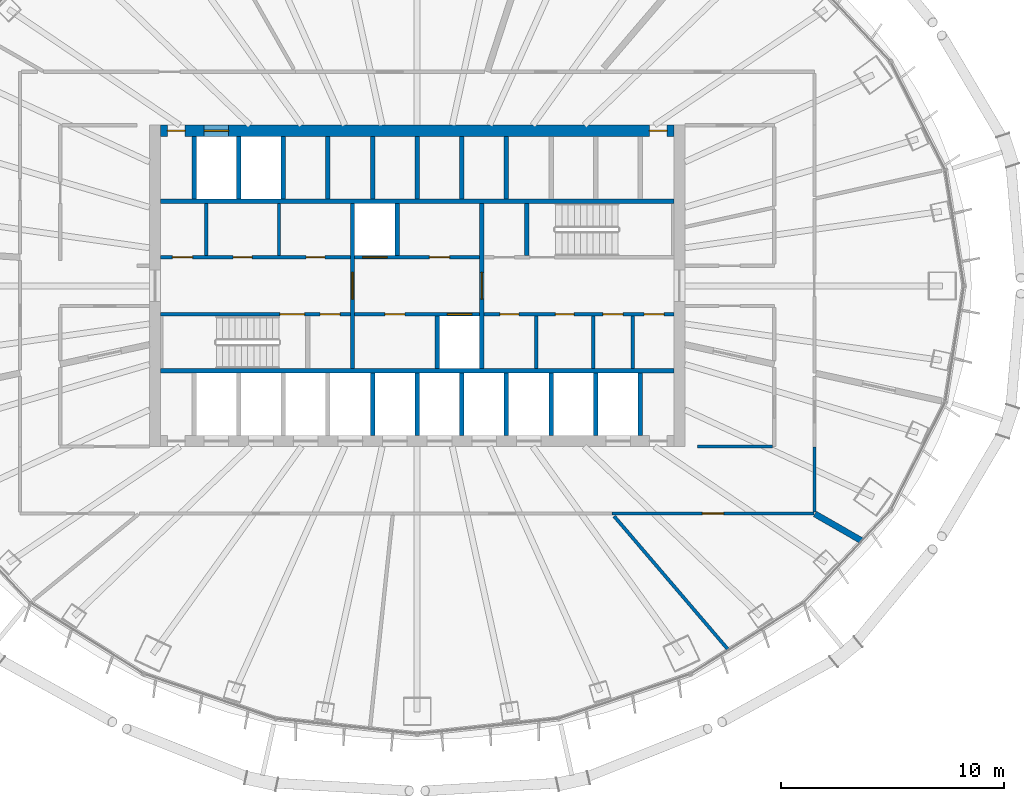
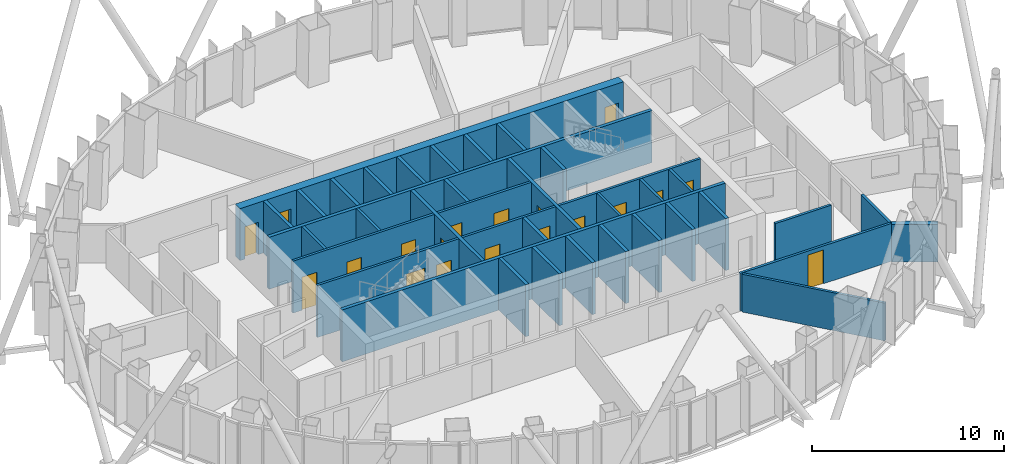
# One storey, part 9 of 18: 38 walls, 19 doors, 19 openings.
"""IFC4 building model written with IfcOpenShell, lengths in metres."""

from ifc_helpers import new_model, si_unit, direction, frame, frame_2d, origin, place, context, subcontext, project, spatial, rectangle, extrude, material, layer, layer_set, type_object, element, fill, save


model = new_model("IFC4")

# Units and contexts
model_context = context("Model", 3, precision=1e-05, world=origin(), true_north=direction((0.0, 1.0)))
body_context = subcontext(model_context, "Body", "Model", "MODEL_VIEW")
ifc_project = project(units=[si_unit("LENGTHUNIT", "METRE"), si_unit("AREAUNIT", "SQUARE_METRE"), si_unit("VOLUMEUNIT", "CUBIC_METRE"), si_unit("PLANEANGLEUNIT", "RADIAN"), si_unit("MASSUNIT", "GRAM", prefix="KILO")], contexts=[model_context])

# Site, building, storey
site_placement = place(None, origin())
site = spatial("IfcSite", under=ifc_project, at=site_placement, CompositionType="ELEMENT")
building_placement = place(site_placement, origin())
building = spatial("IfcBuilding", under=site, at=building_placement, Name="Siaravel Broadcast Tower", CompositionType="ELEMENT")
storey_placement = place(building_placement, frame((0.0, 0.0, 141.5)))
storey = spatial("IfcBuildingStorey", under=building, at=storey_placement, Name="L34", CompositionType="ELEMENT", Elevation=141.5)

# Walls
ifc_material_1 = material(Name="Double-leaf acoustic partition", Category="gypsum")
ifc_layer_1 = layer(ifc_material_1, 0.280029296875)
ifc_layer_set_1 = layer_set([ifc_layer_1], Name="Double-leaf acoustic partition")
wall_type_1 = type_object("IfcWallType", Name="Acoustic double-leaf wall 280", PredefinedType="PARTITIONING", material=ifc_layer_set_1)
wall_1_placement = place(storey_placement, frame((19.925537109375, -11.42822265625, 0.0), z_axis=(0.0, 0.0, 1.0), x_axis=(-0.867449362, 0.497525481, 0.0)))
element("IfcWall", 1, at=wall_1_placement, inside=storey, type_object=wall_type_1, Name="L34 partition 45", PredefinedType="PARTITIONING", context=body_context, shape_type="SweptSolid", body=[
    extrude(rectangle(XDim=2.426025390625, YDim=0.280029296875, at=frame_2d((1.212890625, 0.0))), origin(), (0.0, 0.0, 1.0), 2.39990234375),
])
ifc_material_2 = material(Name="Concrete blockwork", Category="masonry")
ifc_layer_2 = layer(ifc_material_2, 0.14990234375)
ifc_layer_set_2 = layer_set([ifc_layer_2], Name="Concrete blockwork")
wall_type_2 = type_object("IfcWallType", Name="Core partition 150", PredefinedType="PARTITIONING", material=ifc_layer_set_2)
for number, where, z_axis, x_axis, name in (
    (2, (-9.45703125, 1.35009765625, 0.0), (0.0, 0.0, 1.0), (0.0, 1.0, 0.0), "L34 core partition PNW0"),
    (3, (-6.19091796875, 1.35009765625, 0.0), (0.0, 0.0, 1.0), (0.0, 1.0, 0.0), "L34 core partition PNW1"),
    (4, (5.3291015625, -3.699951171875, 0.0), (0.0, 0.0, 1.0), (0.0, 1.0, 0.0), "L34 core partition PSE0"),
    (5, (7.89404296875, -3.699951171875, 0.0), (0.0, 0.0, 1.0), (0.0, 1.0, 0.0), "L34 core partition PSE1"),
    (6, (9.654052734375, -3.699951171875, 0.0), (0.0, 0.0, 1.0), (0.0, 1.0, 0.0), "L34 core partition PSE2"),
):
    element("IfcWall", number, at=place(storey_placement, frame(where, z_axis=z_axis, x_axis=x_axis)), inside=storey, type_object=wall_type_2, Name=name, PredefinedType="PARTITIONING", context=body_context, shape_type="SweptSolid", body=[
        extrude(rectangle(XDim=2.349853515625, YDim=0.14990234375, at=frame_2d((1.1748046875, 0.0))), origin(), (0.0, 0.0, 1.0), 3.300048828125),
    ])

# Wall, openings, doors
ifc_material_3 = material(Name="Concrete C60/75", Category="concrete")
ifc_layer_3 = layer(ifc_material_3, 0.5)
ifc_layer_set_3 = layer_set([ifc_layer_3], Name="Concrete C60/75")
wall_type_3 = type_object("IfcWallType", Name="Core wall 500", PredefinedType="SHEAR", material=ifc_layer_set_3)
wall_2_placement = place(storey_placement, frame((-11.5, 6.949951171875, 0.0), z_axis=(0.0, 0.0, 1.0), x_axis=(1.0, 0.0, 0.0)))
wall_2 = element("IfcWall", 7, at=wall_2_placement, inside=storey, type_object=wall_type_3, Name="L34 core wall ON", PredefinedType="SHEAR", context=body_context, shape_type="SweptSolid", body=[
    extrude(rectangle(XDim=23.0, YDim=0.5, at=frame_2d((11.5, 0.0))), origin(), (0.0, 0.0, 1.0), 3.300048828125),
])
opening_1_placement = place(wall_2_placement, frame((1.949951171875, 0.0, 0.0)))
opening_1 = element("IfcOpeningElement", 8, at=opening_1_placement, cuts=wall_2, Name="Opening LD-SV2-L34", PredefinedType="OPENING", context=body_context, shape_type="SweptSolid", body=[
    extrude(rectangle(XDim=1.10009765625, YDim=2.199951171875, at=frame_2d((0.550048828125, 1.10009765625))), frame((0.0, 0.260009765625, 0.0), z_axis=(0.0, -1.0, 0.0), x_axis=(1.0, 0.0, 0.0)), (0.0, 0.0, 1.0), 0.52001953125),
])
opening_2_placement = place(wall_2_placement, frame((0.300048828125, 0.0, 0.0)))
opening_2 = element("IfcOpeningElement", 9, at=opening_2_placement, cuts=wall_2, Name="Opening L34-DRNW", PredefinedType="OPENING", context=body_context, shape_type="SweptSolid", body=[
    extrude(rectangle(XDim=0.800048828125, YDim=2.050048828125, at=frame_2d((0.39990234375, 1.02490234375))), frame((0.0, 0.260009765625, 0.0), z_axis=(0.0, -1.0, 0.0), x_axis=(1.0, 0.0, 0.0)), (0.0, 0.0, 1.0), 0.52001953125),
])
opening_3_placement = place(wall_2_placement, frame((21.89990234375, 0.0, 0.0)))
opening_3 = element("IfcOpeningElement", 10, at=opening_3_placement, cuts=wall_2, Name="Opening L34-DRNE", PredefinedType="OPENING", context=body_context, shape_type="SweptSolid", body=[
    extrude(rectangle(XDim=0.800048828125, YDim=2.050048828125, at=frame_2d((0.39990234375, 1.02490234375))), frame((0.0, 0.260009765625, 0.0), z_axis=(0.0, -1.0, 0.0), x_axis=(1.0, 0.0, 0.0)), (0.0, 0.0, 1.0), 0.52001953125),
])
ifc_material_4 = material(Name="Steel", Category="steel")
door_type_1 = type_object("IfcDoorType", Name="Riser door 800", OperationType="SINGLE_SWING_LEFT", PredefinedType="DOOR", material=ifc_material_4)
door_1_placement = place(opening_2_placement, origin())
door_1 = element("IfcDoor", 11, at=door_1_placement, inside=storey, type_object=door_type_1, Name="L34 door DRNW", OperationType="SINGLE_SWING_LEFT", OverallHeight=2.050048828125, OverallWidth=0.800048828125, PredefinedType="DOOR", context=body_context, shape_type="SweptSolid", body=[
    extrude(rectangle(XDim=0.800048828125, YDim=2.050048828125, at=frame_2d((0.39990234375, 1.02490234375))), frame((0.0, 0.02490234375, 0.0), z_axis=(0.0, -1.0, 0.0), x_axis=(1.0, 0.0, 0.0)), (0.0, 0.0, 1.0), 0.050048828125),
])
fill(opening_2, door_1)
door_2_placement = place(opening_3_placement, origin())
door_2 = element("IfcDoor", 12, at=door_2_placement, inside=storey, type_object=door_type_1, Name="L34 door DRNE", OperationType="SINGLE_SWING_LEFT", OverallHeight=2.050048828125, OverallWidth=0.800048828125, PredefinedType="DOOR", context=body_context, shape_type="SweptSolid", body=[
    extrude(rectangle(XDim=0.800048828125, YDim=2.050048828125, at=frame_2d((0.39990234375, 1.02490234375))), frame((0.0, 0.02490234375, 0.0), z_axis=(0.0, -1.0, 0.0), x_axis=(1.0, 0.0, 0.0)), (0.0, 0.0, 1.0), 0.050048828125),
])
fill(opening_3, door_2)
ifc_material_5 = material(Name="Stainless steel 316L", Category="steel")
door_type_2 = type_object("IfcDoorType", Name="Service lift landing door 1100", OperationType="DOUBLE_DOOR_SLIDING", PredefinedType="DOOR", material=ifc_material_5)
door_3_placement = place(opening_1_placement, origin())
door_3 = element("IfcDoor", 13, at=door_3_placement, inside=storey, type_object=door_type_2, Name="Landing door SV2 L34", OperationType="DOUBLE_DOOR_SLIDING", OverallHeight=2.199951171875, OverallWidth=1.10009765625, PredefinedType="DOOR", context=body_context, shape_type="SweptSolid", body=[
    extrude(rectangle(XDim=1.10009765625, YDim=2.199951171875, at=frame_2d((0.550048828125, 1.10009765625))), frame((0.0, 0.02490234375, 0.0), z_axis=(0.0, -1.0, 0.0), x_axis=(1.0, 0.0, 0.0)), (0.0, 0.0, 1.0), 0.050048828125),
])
fill(opening_1, door_3)

ifc_material_6 = material(Name="Gypsum board partition", Category="gypsum")
ifc_layer_4 = layer(ifc_material_6, 0.14990234375)
ifc_layer_set_4 = layer_set([ifc_layer_4], Name="Gypsum board partition")
wall_type_4 = type_object("IfcWallType", Name="Corridor wall 150", PredefinedType="PARTITIONING", material=ifc_layer_set_4)
wall_3_placement = place(storey_placement, frame((3.0, -1.27490234375, 0.0), z_axis=(0.0, 0.0, 1.0), x_axis=(1.0, 0.0, 0.0)))
wall_3 = element("IfcWall", 14, at=wall_3_placement, inside=storey, type_object=wall_type_4, Name="L34 core partition CSE", PredefinedType="PARTITIONING", context=body_context, shape_type="SweptSolid", body=[
    extrude(rectangle(XDim=8.5, YDim=0.14990234375, at=frame_2d((4.25, 0.0))), origin(), (0.0, 0.0, 1.0), 3.300048828125),
])
opening_4_placement = place(wall_3_placement, frame((0.701904296875, 0.0, 0.0)))
opening_4 = element("IfcOpeningElement", 15, at=opening_4_placement, cuts=wall_3, Name="Opening L34-DSE0", PredefinedType="OPENING", context=body_context, shape_type="SweptSolid", body=[
    extrude(rectangle(XDim=0.85009765625, YDim=2.10009765625, at=frame_2d((0.425048828125, 1.050048828125))), frame((0.0, 0.0849609375, 0.0), z_axis=(0.0, -1.0, 0.0), x_axis=(1.0, 0.0, 0.0)), (0.0, 0.0, 1.0), 0.169921875),
])
opening_5_placement = place(wall_3_placement, frame((3.1865234375, 0.0, 0.0)))
opening_5 = element("IfcOpeningElement", 16, at=opening_5_placement, cuts=wall_3, Name="Opening L34-DSE1", PredefinedType="OPENING", context=body_context, shape_type="SweptSolid", body=[
    extrude(rectangle(XDim=0.85009765625, YDim=2.10009765625, at=frame_2d((0.425048828125, 1.050048828125))), frame((0.0, 0.0849609375, 0.0), z_axis=(0.0, -1.0, 0.0), x_axis=(1.0, 0.0, 0.0)), (0.0, 0.0, 1.0), 0.169921875),
])
opening_6_placement = place(wall_3_placement, frame((5.323974609375, 0.0, 0.0)))
opening_6 = element("IfcOpeningElement", 17, at=opening_6_placement, cuts=wall_3, Name="Opening L34-DSE2", PredefinedType="OPENING", context=body_context, shape_type="SweptSolid", body=[
    extrude(rectangle(XDim=0.89990234375, YDim=2.10009765625, at=frame_2d((0.449951171875, 1.050048828125))), frame((0.0, 0.0849609375, 0.0), z_axis=(0.0, -1.0, 0.0), x_axis=(1.0, 0.0, 0.0)), (0.0, 0.0, 1.0), 0.169921875),
])
opening_7_placement = place(wall_3_placement, frame((7.16455078125, 0.0, 0.0)))
opening_7 = element("IfcOpeningElement", 18, at=opening_7_placement, cuts=wall_3, Name="Opening L34-DSE3", PredefinedType="OPENING", context=body_context, shape_type="SweptSolid", body=[
    extrude(rectangle(XDim=0.89990234375, YDim=2.10009765625, at=frame_2d((0.449951171875, 1.050048828125))), frame((0.0, 0.0849609375, 0.0), z_axis=(0.0, -1.0, 0.0), x_axis=(1.0, 0.0, 0.0)), (0.0, 0.0, 1.0), 0.169921875),
])
ifc_material_7 = material(Name="Timber veneer", Category="wood")
door_type_3 = type_object("IfcDoorType", Name="Core room door 900", OperationType="SINGLE_SWING_LEFT", PredefinedType="DOOR", material=ifc_material_7)
door_4_placement = place(opening_6_placement, origin())
door_4 = element("IfcDoor", 19, at=door_4_placement, inside=storey, type_object=door_type_3, Name="L34 door DSE2", OperationType="SINGLE_SWING_LEFT", OverallHeight=2.10009765625, OverallWidth=0.89990234375, PredefinedType="DOOR", context=body_context, shape_type="SweptSolid", body=[
    extrude(rectangle(XDim=0.89990234375, YDim=2.10009765625, at=frame_2d((0.449951171875, 1.050048828125))), frame((0.0, 0.02490234375, 0.0), z_axis=(0.0, -1.0, 0.0), x_axis=(1.0, 0.0, 0.0)), (0.0, 0.0, 1.0), 0.050048828125),
])
fill(opening_6, door_4)
door_5_placement = place(opening_7_placement, origin())
door_5 = element("IfcDoor", 20, at=door_5_placement, inside=storey, type_object=door_type_3, Name="L34 door DSE3", OperationType="SINGLE_SWING_LEFT", OverallHeight=2.10009765625, OverallWidth=0.89990234375, PredefinedType="DOOR", context=body_context, shape_type="SweptSolid", body=[
    extrude(rectangle(XDim=0.89990234375, YDim=2.10009765625, at=frame_2d((0.449951171875, 1.050048828125))), frame((0.0, 0.02490234375, 0.0), z_axis=(0.0, -1.0, 0.0), x_axis=(1.0, 0.0, 0.0)), (0.0, 0.0, 1.0), 0.050048828125),
])
fill(opening_7, door_5)
door_type_4 = type_object("IfcDoorType", Name="Core toilet door 850", OperationType="SINGLE_SWING_LEFT", PredefinedType="DOOR", material=ifc_material_7)
door_6_placement = place(opening_4_placement, origin())
door_6 = element("IfcDoor", 21, at=door_6_placement, inside=storey, type_object=door_type_4, Name="L34 door DSE0", OperationType="SINGLE_SWING_LEFT", OverallHeight=2.10009765625, OverallWidth=0.85009765625, PredefinedType="DOOR", context=body_context, shape_type="SweptSolid", body=[
    extrude(rectangle(XDim=0.85009765625, YDim=2.10009765625, at=frame_2d((0.425048828125, 1.050048828125))), frame((0.0, 0.02490234375, 0.0), z_axis=(0.0, -1.0, 0.0), x_axis=(1.0, 0.0, 0.0)), (0.0, 0.0, 1.0), 0.050048828125),
])
fill(opening_4, door_6)
door_7_placement = place(opening_5_placement, origin())
door_7 = element("IfcDoor", 22, at=door_7_placement, inside=storey, type_object=door_type_4, Name="L34 door DSE1", OperationType="SINGLE_SWING_LEFT", OverallHeight=2.10009765625, OverallWidth=0.85009765625, PredefinedType="DOOR", context=body_context, shape_type="SweptSolid", body=[
    extrude(rectangle(XDim=0.85009765625, YDim=2.10009765625, at=frame_2d((0.425048828125, 1.050048828125))), frame((0.0, 0.02490234375, 0.0), z_axis=(0.0, -1.0, 0.0), x_axis=(1.0, 0.0, 0.0)), (0.0, 0.0, 1.0), 0.050048828125),
])
fill(opening_5, door_7)

wall_4_placement = place(storey_placement, frame((-11.5, 1.27490234375, 0.0), z_axis=(0.0, 0.0, 1.0), x_axis=(1.0, 0.0, 0.0)))
wall_4 = element("IfcWall", 23, at=wall_4_placement, inside=storey, type_object=wall_type_4, Name="L34 core partition CNW", PredefinedType="PARTITIONING", context=body_context, shape_type="SweptSolid", body=[
    extrude(rectangle(XDim=8.5, YDim=0.14990234375, at=frame_2d((4.25, 0.0))), origin(), (0.0, 0.0, 1.0), 3.300048828125),
])
opening_8_placement = place(wall_4_placement, frame((0.533935546875, 0.0, 0.0)))
opening_8 = element("IfcOpeningElement", 24, at=opening_8_placement, cuts=wall_4, Name="Opening L34-DNW0", PredefinedType="OPENING", context=body_context, shape_type="SweptSolid", body=[
    extrude(rectangle(XDim=0.89990234375, YDim=2.10009765625, at=frame_2d((0.449951171875, 1.050048828125))), frame((0.0, 0.0849609375, 0.0), z_axis=(0.0, -1.0, 0.0), x_axis=(1.0, 0.0, 0.0)), (0.0, 0.0, 1.0), 0.169921875),
])
opening_9_placement = place(wall_4_placement, frame((3.2509765625, 0.0, 0.0)))
opening_9 = element("IfcOpeningElement", 25, at=opening_9_placement, cuts=wall_4, Name="Opening L34-DNW1", PredefinedType="OPENING", context=body_context, shape_type="SweptSolid", body=[
    extrude(rectangle(XDim=0.85009765625, YDim=2.10009765625, at=frame_2d((0.425048828125, 1.050048828125))), frame((0.0, 0.0849609375, 0.0), z_axis=(0.0, -1.0, 0.0), x_axis=(1.0, 0.0, 0.0)), (0.0, 0.0, 1.0), 0.169921875),
])
opening_10_placement = place(wall_4_placement, frame((6.51708984375, 0.0, 0.0)))
opening_10 = element("IfcOpeningElement", 26, at=opening_10_placement, cuts=wall_4, Name="Opening L34-DNW2", PredefinedType="OPENING", context=body_context, shape_type="SweptSolid", body=[
    extrude(rectangle(XDim=0.85009765625, YDim=2.10009765625, at=frame_2d((0.425048828125, 1.050048828125))), frame((0.0, 0.0849609375, 0.0), z_axis=(0.0, -1.0, 0.0), x_axis=(1.0, 0.0, 0.0)), (0.0, 0.0, 1.0), 0.169921875),
])
door_8_placement = place(opening_8_placement, origin())
door_8 = element("IfcDoor", 27, at=door_8_placement, inside=storey, type_object=door_type_3, Name="L34 door DNW0", OperationType="SINGLE_SWING_LEFT", OverallHeight=2.10009765625, OverallWidth=0.89990234375, PredefinedType="DOOR", context=body_context, shape_type="SweptSolid", body=[
    extrude(rectangle(XDim=0.89990234375, YDim=2.10009765625, at=frame_2d((0.449951171875, 1.050048828125))), frame((0.0, 0.02490234375, 0.0), z_axis=(0.0, -1.0, 0.0), x_axis=(1.0, 0.0, 0.0)), (0.0, 0.0, 1.0), 0.050048828125),
])
fill(opening_8, door_8)
door_9_placement = place(opening_9_placement, origin())
door_9 = element("IfcDoor", 28, at=door_9_placement, inside=storey, type_object=door_type_4, Name="L34 door DNW1", OperationType="SINGLE_SWING_LEFT", OverallHeight=2.10009765625, OverallWidth=0.85009765625, PredefinedType="DOOR", context=body_context, shape_type="SweptSolid", body=[
    extrude(rectangle(XDim=0.85009765625, YDim=2.10009765625, at=frame_2d((0.425048828125, 1.050048828125))), frame((0.0, 0.02490234375, 0.0), z_axis=(0.0, -1.0, 0.0), x_axis=(1.0, 0.0, 0.0)), (0.0, 0.0, 1.0), 0.050048828125),
])
fill(opening_9, door_9)
door_10_placement = place(opening_10_placement, origin())
door_10 = element("IfcDoor", 29, at=door_10_placement, inside=storey, type_object=door_type_4, Name="L34 door DNW2", OperationType="SINGLE_SWING_LEFT", OverallHeight=2.10009765625, OverallWidth=0.85009765625, PredefinedType="DOOR", context=body_context, shape_type="SweptSolid", body=[
    extrude(rectangle(XDim=0.85009765625, YDim=2.10009765625, at=frame_2d((0.425048828125, 1.050048828125))), frame((0.0, 0.02490234375, 0.0), z_axis=(0.0, -1.0, 0.0), x_axis=(1.0, 0.0, 0.0)), (0.0, 0.0, 1.0), 0.050048828125),
])
fill(opening_10, door_10)

# Wall, opening, door
wall_5_placement = place(storey_placement, frame((8.72021484375, -10.199951171875, 0.0), z_axis=(0.0, 0.0, 1.0), x_axis=(1.0, 0.0, 0.0)))
wall_5 = element("IfcWall", 30, at=wall_5_placement, inside=storey, type_object=wall_type_4, Name="L34 partition 8", PredefinedType="PARTITIONING", context=body_context, shape_type="SweptSolid", body=[
    extrude(rectangle(XDim=9.06396484375, YDim=0.14990234375, at=frame_2d((4.531982421875, 0.0))), origin(), (0.0, 0.0, 1.0), 2.39990234375),
])
opening_11_placement = place(wall_5_placement, frame((4.056884765625, 0.0, 0.0)))
opening_11 = element("IfcOpeningElement", 31, at=opening_11_placement, cuts=wall_5, Name="Opening L34-005", PredefinedType="OPENING", context=body_context, shape_type="SweptSolid", body=[
    extrude(rectangle(XDim=0.949951171875, YDim=2.14990234375, at=frame_2d((0.47509765625, 1.074951171875))), frame((0.0, 0.0849609375, 0.0), z_axis=(0.0, -1.0, 0.0), x_axis=(1.0, 0.0, 0.0)), (0.0, 0.0, 1.0), 0.169921875),
])
door_type_5 = type_object("IfcDoorType", Name="Office door 950", OperationType="SINGLE_SWING_LEFT", PredefinedType="DOOR", material=ifc_material_7)
door_11_placement = place(opening_11_placement, origin())
door_11 = element("IfcDoor", 32, at=door_11_placement, inside=storey, type_object=door_type_5, Name="L34 door to Production office", OperationType="SINGLE_SWING_LEFT", OverallHeight=2.14990234375, OverallWidth=0.949951171875, PredefinedType="DOOR", context=body_context, shape_type="SweptSolid", body=[
    extrude(rectangle(XDim=0.949951171875, YDim=2.14990234375, at=frame_2d((0.47509765625, 1.074951171875))), frame((0.0, 0.02490234375, 0.0), z_axis=(0.0, -1.0, 0.0), x_axis=(1.0, 0.0, 0.0)), (0.0, 0.0, 1.0), 0.050048828125),
])
fill(opening_11, door_11)

# Walls
wall_6_placement = place(storey_placement, frame((15.923095703125, -7.199951171875, 0.0), z_axis=(0.0, 0.0, 1.0), x_axis=(-1.0, 0.0, 0.0)))
element("IfcWall", 33, at=wall_6_placement, inside=storey, type_object=wall_type_4, Name="L34 partition 36", PredefinedType="PARTITIONING", context=body_context, shape_type="SweptSolid", body=[
    extrude(rectangle(XDim=3.36962890625, YDim=0.14990234375, at=frame_2d((1.684814453125, 0.0))), origin(), (0.0, 0.0, 1.0), 2.39990234375),
])
wall_7_placement = place(storey_placement, frame((17.800048828125, -10.123046875, 0.0), z_axis=(0.0, 0.0, 1.0), x_axis=(0.0, 1.0, 0.0)))
element("IfcWall", 34, at=wall_7_placement, inside=storey, type_object=wall_type_4, Name="L34 partition 40", PredefinedType="PARTITIONING", context=body_context, shape_type="SweptSolid", body=[
    extrude(rectangle(XDim=2.91015625, YDim=0.14990234375, at=frame_2d((1.455078125, 0.0))), origin(), (0.0, 0.0, 1.0), 2.39990234375),
])
ifc_layer_5 = layer(ifc_material_6, 0.14990234375)
ifc_layer_set_5 = layer_set([ifc_layer_5], Name="Gypsum board partition")
wall_type_5 = type_object("IfcWallType", Name="Room partition 150", PredefinedType="PARTITIONING", material=ifc_layer_set_5)
wall_8_placement = place(storey_placement, frame((13.94677734375, -16.315185546875, 0.0), z_axis=(0.0, 0.0, 1.0), x_axis=(-0.649772776, 0.760128502, 0.0)))
element("IfcWall", 35, at=wall_8_placement, inside=storey, type_object=wall_type_5, Name="L34 partition 10", PredefinedType="PARTITIONING", context=body_context, shape_type="SweptSolid", body=[
    extrude(rectangle(XDim=7.880126953125, YDim=0.14990234375, at=frame_2d((3.93994140625, 0.0))), origin(), (0.0, 0.0, 1.0), 2.39990234375),
])

# Wall, openings, doors
ifc_layer_6 = layer(ifc_material_3, 0.14990234375)
ifc_layer_set_6 = layer_set([ifc_layer_6], Name="Concrete C60/75")
wall_type_6 = type_object("IfcWallType", Name="Shaft wall 150", PredefinedType="SHEAR", material=ifc_layer_set_6)
wall_9_placement = place(storey_placement, frame((-11.5, -1.27490234375, 0.0), z_axis=(0.0, 0.0, 1.0), x_axis=(1.0, 0.0, 0.0)))
wall_9 = element("IfcWall", 36, at=wall_9_placement, inside=storey, type_object=wall_type_6, Name="L34 core wall CSW", PredefinedType="SHEAR", context=body_context, shape_type="SweptSolid", body=[
    extrude(rectangle(XDim=8.5, YDim=0.14990234375, at=frame_2d((4.25, 0.0))), origin(), (0.0, 0.0, 1.0), 3.300048828125),
])
opening_12_placement = place(wall_9_placement, frame((5.35009765625, 0.0, 0.0)))
opening_12 = element("IfcOpeningElement", 37, at=opening_12_placement, cuts=wall_9, Name="Opening L34-DS-1", PredefinedType="OPENING", context=body_context, shape_type="SweptSolid", body=[
    extrude(rectangle(XDim=1.10009765625, YDim=2.14990234375, at=frame_2d((0.550048828125, 1.074951171875))), frame((0.0, 0.0849609375, 0.0), z_axis=(0.0, -1.0, 0.0), x_axis=(1.0, 0.0, 0.0)), (0.0, 0.0, 1.0), 0.169921875),
])
opening_13_placement = place(wall_9_placement, frame((7.14990234375, 0.0, 0.0)))
opening_13 = element("IfcOpeningElement", 38, at=opening_13_placement, cuts=wall_9, Name="Opening L34-DSW0", PredefinedType="OPENING", context=body_context, shape_type="SweptSolid", body=[
    extrude(rectangle(XDim=0.89990234375, YDim=2.10009765625, at=frame_2d((0.449951171875, 1.050048828125))), frame((0.0, 0.0849609375, 0.0), z_axis=(0.0, -1.0, 0.0), x_axis=(1.0, 0.0, 0.0)), (0.0, 0.0, 1.0), 0.169921875),
])
door_12_placement = place(opening_13_placement, origin())
door_12 = element("IfcDoor", 39, at=door_12_placement, inside=storey, type_object=door_type_3, Name="L34 door DSW0", OperationType="SINGLE_SWING_LEFT", OverallHeight=2.10009765625, OverallWidth=0.89990234375, PredefinedType="DOOR", context=body_context, shape_type="SweptSolid", body=[
    extrude(rectangle(XDim=0.89990234375, YDim=2.10009765625, at=frame_2d((0.449951171875, 1.050048828125))), frame((0.0, 0.02490234375, 0.0), z_axis=(0.0, -1.0, 0.0), x_axis=(1.0, 0.0, 0.0)), (0.0, 0.0, 1.0), 0.050048828125),
])
fill(opening_13, door_12)
door_type_6 = type_object("IfcDoorType", Name="Stair door 1100", OperationType="SINGLE_SWING_LEFT", PredefinedType="DOOR", material=ifc_material_4)
door_13_placement = place(opening_12_placement, origin())
door_13 = element("IfcDoor", 40, at=door_13_placement, inside=storey, type_object=door_type_6, Name="L34 door DS-1", OperationType="SINGLE_SWING_LEFT", OverallHeight=2.14990234375, OverallWidth=1.10009765625, PredefinedType="DOOR", context=body_context, shape_type="SweptSolid", body=[
    extrude(rectangle(XDim=1.10009765625, YDim=2.14990234375, at=frame_2d((0.550048828125, 1.074951171875))), frame((0.0, 0.02490234375, 0.0), z_axis=(0.0, -1.0, 0.0), x_axis=(1.0, 0.0, 0.0)), (0.0, 0.0, 1.0), 0.050048828125),
])
fill(opening_12, door_13)

wall_10_placement = place(storey_placement, frame((-2.800048828125, -1.27490234375, 0.0), z_axis=(0.0, 0.0, 1.0), x_axis=(1.0, 0.0, 0.0)))
wall_10 = element("IfcWall", 41, at=wall_10_placement, inside=storey, type_object=wall_type_6, Name="L34 core wall CSM", PredefinedType="SHEAR", context=body_context, shape_type="SweptSolid", body=[
    extrude(rectangle(XDim=5.60009765625, YDim=0.14990234375, at=frame_2d((2.800048828125, 0.0))), origin(), (0.0, 0.0, 1.0), 3.300048828125),
])
opening_14_placement = place(wall_10_placement, frame((4.14990234375, 0.0, 0.0)))
opening_14 = element("IfcOpeningElement", 42, at=opening_14_placement, cuts=wall_10, Name="Opening LD-FL2-L34", PredefinedType="OPENING", context=body_context, shape_type="SweptSolid", body=[
    extrude(rectangle(XDim=1.10009765625, YDim=2.199951171875, at=frame_2d((0.550048828125, 1.10009765625))), frame((0.0, 0.0849609375, 0.0), z_axis=(0.0, -1.0, 0.0), x_axis=(1.0, 0.0, 0.0)), (0.0, 0.0, 1.0), 0.169921875),
])
opening_15_placement = place(wall_10_placement, frame((1.35009765625, 0.0, 0.0)))
opening_15 = element("IfcOpeningElement", 43, at=opening_15_placement, cuts=wall_10, Name="Opening L34-DSM0", PredefinedType="OPENING", context=body_context, shape_type="SweptSolid", body=[
    extrude(rectangle(XDim=0.89990234375, YDim=2.10009765625, at=frame_2d((0.449951171875, 1.050048828125))), frame((0.0, 0.0849609375, 0.0), z_axis=(0.0, -1.0, 0.0), x_axis=(1.0, 0.0, 0.0)), (0.0, 0.0, 1.0), 0.169921875),
])
door_14_placement = place(opening_15_placement, origin())
door_14 = element("IfcDoor", 44, at=door_14_placement, inside=storey, type_object=door_type_3, Name="L34 door DSM0", OperationType="SINGLE_SWING_LEFT", OverallHeight=2.10009765625, OverallWidth=0.89990234375, PredefinedType="DOOR", context=body_context, shape_type="SweptSolid", body=[
    extrude(rectangle(XDim=0.89990234375, YDim=2.10009765625, at=frame_2d((0.449951171875, 1.050048828125))), frame((0.0, 0.02490234375, 0.0), z_axis=(0.0, -1.0, 0.0), x_axis=(1.0, 0.0, 0.0)), (0.0, 0.0, 1.0), 0.050048828125),
])
fill(opening_15, door_14)
door_type_7 = type_object("IfcDoorType", Name="Firefighting lift landing door 1100", OperationType="DOUBLE_DOOR_SLIDING", PredefinedType="DOOR", material=ifc_material_5)
door_15_placement = place(opening_14_placement, origin())
door_15 = element("IfcDoor", 45, at=door_15_placement, inside=storey, type_object=door_type_7, Name="Landing door FL2 L34", OperationType="DOUBLE_DOOR_SLIDING", OverallHeight=2.199951171875, OverallWidth=1.10009765625, PredefinedType="DOOR", context=body_context, shape_type="SweptSolid", body=[
    extrude(rectangle(XDim=1.10009765625, YDim=2.199951171875, at=frame_2d((0.550048828125, 1.10009765625))), frame((0.0, 0.02490234375, 0.0), z_axis=(0.0, -1.0, 0.0), x_axis=(1.0, 0.0, 0.0)), (0.0, 0.0, 1.0), 0.050048828125),
])
fill(opening_14, door_15)

wall_11_placement = place(storey_placement, frame((-2.800048828125, 1.27490234375, 0.0), z_axis=(0.0, 0.0, 1.0), x_axis=(1.0, 0.0, 0.0)))
wall_11 = element("IfcWall", 46, at=wall_11_placement, inside=storey, type_object=wall_type_6, Name="L34 core wall CNM", PredefinedType="SHEAR", context=body_context, shape_type="SweptSolid", body=[
    extrude(rectangle(XDim=5.60009765625, YDim=0.14990234375, at=frame_2d((2.800048828125, 0.0))), origin(), (0.0, 0.0, 1.0), 3.300048828125),
])
opening_16_placement = place(wall_11_placement, frame((0.35009765625, 0.0, 0.0)))
opening_16 = element("IfcOpeningElement", 47, at=opening_16_placement, cuts=wall_11, Name="Opening LD-FL1-L34", PredefinedType="OPENING", context=body_context, shape_type="SweptSolid", body=[
    extrude(rectangle(XDim=1.10009765625, YDim=2.199951171875, at=frame_2d((0.550048828125, 1.10009765625))), frame((0.0, 0.0849609375, 0.0), z_axis=(0.0, -1.0, 0.0), x_axis=(1.0, 0.0, 0.0)), (0.0, 0.0, 1.0), 0.169921875),
])
opening_17_placement = place(wall_11_placement, frame((3.35009765625, 0.0, 0.0)))
opening_17 = element("IfcOpeningElement", 48, at=opening_17_placement, cuts=wall_11, Name="Opening L34-DNM0", PredefinedType="OPENING", context=body_context, shape_type="SweptSolid", body=[
    extrude(rectangle(XDim=0.89990234375, YDim=2.10009765625, at=frame_2d((0.449951171875, 1.050048828125))), frame((0.0, 0.0849609375, 0.0), z_axis=(0.0, -1.0, 0.0), x_axis=(1.0, 0.0, 0.0)), (0.0, 0.0, 1.0), 0.169921875),
])
door_16_placement = place(opening_17_placement, origin())
door_16 = element("IfcDoor", 49, at=door_16_placement, inside=storey, type_object=door_type_3, Name="L34 door DNM0", OperationType="SINGLE_SWING_LEFT", OverallHeight=2.10009765625, OverallWidth=0.89990234375, PredefinedType="DOOR", context=body_context, shape_type="SweptSolid", body=[
    extrude(rectangle(XDim=0.89990234375, YDim=2.10009765625, at=frame_2d((0.449951171875, 1.050048828125))), frame((0.0, 0.02490234375, 0.0), z_axis=(0.0, -1.0, 0.0), x_axis=(1.0, 0.0, 0.0)), (0.0, 0.0, 1.0), 0.050048828125),
])
fill(opening_17, door_16)
door_17_placement = place(opening_16_placement, origin())
door_17 = element("IfcDoor", 50, at=door_17_placement, inside=storey, type_object=door_type_7, Name="Landing door FL1 L34", OperationType="DOUBLE_DOOR_SLIDING", OverallHeight=2.199951171875, OverallWidth=1.10009765625, PredefinedType="DOOR", context=body_context, shape_type="SweptSolid", body=[
    extrude(rectangle(XDim=1.10009765625, YDim=2.199951171875, at=frame_2d((0.550048828125, 1.10009765625))), frame((0.0, 0.02490234375, 0.0), z_axis=(0.0, -1.0, 0.0), x_axis=(1.0, 0.0, 0.0)), (0.0, 0.0, 1.0), 0.050048828125),
])
fill(opening_16, door_17)

# Walls
ifc_layer_7 = layer(ifc_material_3, 0.199951171875)
ifc_layer_set_7 = layer_set([ifc_layer_7], Name="Concrete C60/75")
wall_type_7 = type_object("IfcWallType", Name="Shaft wall 200", PredefinedType="SHEAR", material=ifc_layer_set_7)
for number, where, z_axis, x_axis, name in (
    (51, (-11.5, -3.800048828125, 0.0), (0.0, 0.0, 1.0), (1.0, 0.0, 0.0), "L34 core wall BS"),
    (52, (-11.5, 3.800048828125, 0.0), (0.0, 0.0, 1.0), (1.0, 0.0, 0.0), "L34 core wall BN"),
):
    element("IfcWall", number, at=place(storey_placement, frame(where, z_axis=z_axis, x_axis=x_axis)), inside=storey, type_object=wall_type_7, Name=name, PredefinedType="SHEAR", context=body_context, shape_type="SweptSolid", body=[
        extrude(rectangle(XDim=23.0, YDim=0.199951171875, at=frame_2d((11.5, 0.0))), origin(), (0.0, 0.0, 1.0), 3.300048828125),
    ])
for number, where, z_axis, x_axis, name in (
    (53, (-2.0, -6.699951171875, 0.0), (0.0, 0.0, 1.0), (0.0, 1.0, 0.0), "L34 core wall SWS4"),
    (54, (0.0, -6.699951171875, 0.0), (0.0, 0.0, 1.0), (0.0, 1.0, 0.0), "L34 core wall SWS5"),
    (55, (2.0, -6.699951171875, 0.0), (0.0, 0.0, 1.0), (0.0, 1.0, 0.0), "L34 core wall SWS6"),
    (56, (4.0, -6.699951171875, 0.0), (0.0, 0.0, 1.0), (0.0, 1.0, 0.0), "L34 core wall SWS7"),
    (57, (6.0, -6.699951171875, 0.0), (0.0, 0.0, 1.0), (0.0, 1.0, 0.0), "L34 core wall SWS8"),
    (58, (8.0, -6.699951171875, 0.0), (0.0, 0.0, 1.0), (0.0, 1.0, 0.0), "L34 core wall SWS9"),
    (59, (10.0, -6.699951171875, 0.0), (0.0, 0.0, 1.0), (0.0, 1.0, 0.0), "L34 core wall SWS10"),
    (60, (-10.0, 3.89990234375, 0.0), (0.0, 0.0, 1.0), (0.0, 1.0, 0.0), "L34 core wall SWN0"),
    (61, (-8.0, 3.89990234375, 0.0), (0.0, 0.0, 1.0), (0.0, 1.0, 0.0), "L34 core wall SWN1"),
    (62, (-6.0, 3.89990234375, 0.0), (0.0, 0.0, 1.0), (0.0, 1.0, 0.0), "L34 core wall SWN2"),
    (63, (-4.0, 3.89990234375, 0.0), (0.0, 0.0, 1.0), (0.0, 1.0, 0.0), "L34 core wall SWN3"),
    (64, (-2.0, 3.89990234375, 0.0), (0.0, 0.0, 1.0), (0.0, 1.0, 0.0), "L34 core wall SWN4"),
    (65, (0.0, 3.89990234375, 0.0), (0.0, 0.0, 1.0), (0.0, 1.0, 0.0), "L34 core wall SWN5"),
    (66, (2.0, 3.89990234375, 0.0), (0.0, 0.0, 1.0), (0.0, 1.0, 0.0), "L34 core wall SWN6"),
    (67, (4.0, 3.89990234375, 0.0), (0.0, 0.0, 1.0), (0.0, 1.0, 0.0), "L34 core wall SWN7"),
):
    element("IfcWall", number, at=place(storey_placement, frame(where, z_axis=z_axis, x_axis=x_axis)), inside=storey, type_object=wall_type_7, Name=name, PredefinedType="SHEAR", context=body_context, shape_type="SweptSolid", body=[
        extrude(rectangle(XDim=2.800048828125, YDim=0.199951171875, at=frame_2d((1.39990234375, 0.0))), origin(), (0.0, 0.0, 1.0), 3.300048828125),
    ])

# Wall, opening, door
wall_12_placement = place(storey_placement, frame((-2.89990234375, -3.699951171875, 0.0), z_axis=(0.0, 0.0, 1.0), x_axis=(0.0, 1.0, 0.0)))
wall_12 = element("IfcWall", 68, at=wall_12_placement, inside=storey, type_object=wall_type_7, Name="L34 core wall LW", PredefinedType="SHEAR", context=body_context, shape_type="SweptSolid", body=[
    extrude(rectangle(XDim=7.39990234375, YDim=0.199951171875, at=frame_2d((3.699951171875, 0.0))), origin(), (0.0, 0.0, 1.0), 3.300048828125),
])
opening_18_placement = place(wall_12_placement, frame((3.10009765625, 0.0, 0.0)))
opening_18 = element("IfcOpeningElement", 69, at=opening_18_placement, cuts=wall_12, Name="Opening L34-DL-W", PredefinedType="OPENING", context=body_context, shape_type="SweptSolid", body=[
    extrude(rectangle(XDim=1.199951171875, YDim=2.199951171875, at=frame_2d((0.60009765625, 1.10009765625))), frame((0.0, 0.10986328125, 0.0), z_axis=(0.0, -1.0, 0.0), x_axis=(1.0, 0.0, 0.0)), (0.0, 0.0, 1.0), 0.219970703125),
])
door_type_8 = type_object("IfcDoorType", Name="Firefighting lobby door 1200", OperationType="SINGLE_SWING_LEFT", PredefinedType="DOOR", material=ifc_material_4)
door_18_placement = place(opening_18_placement, origin())
door_18 = element("IfcDoor", 70, at=door_18_placement, inside=storey, type_object=door_type_8, Name="L34 door DL-W", OperationType="SINGLE_SWING_LEFT", OverallHeight=2.199951171875, OverallWidth=1.199951171875, PredefinedType="DOOR", context=body_context, shape_type="SweptSolid", body=[
    extrude(rectangle(XDim=1.199951171875, YDim=2.199951171875, at=frame_2d((0.60009765625, 1.10009765625))), frame((0.0, 0.02490234375, 0.0), z_axis=(0.0, -1.0, 0.0), x_axis=(1.0, 0.0, 0.0)), (0.0, 0.0, 1.0), 0.050048828125),
])
fill(opening_18, door_18)

wall_13_placement = place(storey_placement, frame((2.89990234375, -3.699951171875, 0.0), z_axis=(0.0, 0.0, 1.0), x_axis=(0.0, 1.0, 0.0)))
wall_13 = element("IfcWall", 71, at=wall_13_placement, inside=storey, type_object=wall_type_7, Name="L34 core wall LE", PredefinedType="SHEAR", context=body_context, shape_type="SweptSolid", body=[
    extrude(rectangle(XDim=7.39990234375, YDim=0.199951171875, at=frame_2d((3.699951171875, 0.0))), origin(), (0.0, 0.0, 1.0), 3.300048828125),
])
opening_19_placement = place(wall_13_placement, frame((3.10009765625, 0.0, 0.0)))
opening_19 = element("IfcOpeningElement", 72, at=opening_19_placement, cuts=wall_13, Name="Opening L34-DL-E", PredefinedType="OPENING", context=body_context, shape_type="SweptSolid", body=[
    extrude(rectangle(XDim=1.199951171875, YDim=2.199951171875, at=frame_2d((0.60009765625, 1.10009765625))), frame((0.0, 0.10986328125, 0.0), z_axis=(0.0, -1.0, 0.0), x_axis=(1.0, 0.0, 0.0)), (0.0, 0.0, 1.0), 0.219970703125),
])
door_19_placement = place(opening_19_placement, origin())
door_19 = element("IfcDoor", 73, at=door_19_placement, inside=storey, type_object=door_type_8, Name="L34 door DL-E", OperationType="SINGLE_SWING_LEFT", OverallHeight=2.199951171875, OverallWidth=1.199951171875, PredefinedType="DOOR", context=body_context, shape_type="SweptSolid", body=[
    extrude(rectangle(XDim=1.199951171875, YDim=2.199951171875, at=frame_2d((0.60009765625, 1.10009765625))), frame((0.0, 0.02490234375, 0.0), z_axis=(0.0, -1.0, 0.0), x_axis=(1.0, 0.0, 0.0)), (0.0, 0.0, 1.0), 0.050048828125),
])
fill(opening_19, door_19)

# Walls
for number, where, z_axis, x_axis, name in (
    (74, (-0.89990234375, 1.35009765625, 0.0), (0.0, 0.0, 1.0), (0.0, 1.0, 0.0), "L34 core wall FF1E"),
    (75, (0.89990234375, -3.699951171875, 0.0), (0.0, 0.0, 1.0), (0.0, 1.0, 0.0), "L34 core wall FF2W"),
    (76, (4.89990234375, 1.35009765625, 0.0), (0.0, 0.0, 1.0), (0.0, 1.0, 0.0), "L34 core wall ST2W"),
):
    element("IfcWall", number, at=place(storey_placement, frame(where, z_axis=z_axis, x_axis=x_axis)), inside=storey, type_object=wall_type_7, Name=name, PredefinedType="SHEAR", context=body_context, shape_type="SweptSolid", body=[
        extrude(rectangle(XDim=2.349853515625, YDim=0.199951171875, at=frame_2d((1.1748046875, 0.0))), origin(), (0.0, 0.0, 1.0), 3.300048828125),
    ])

save(model, "model.ifc")
